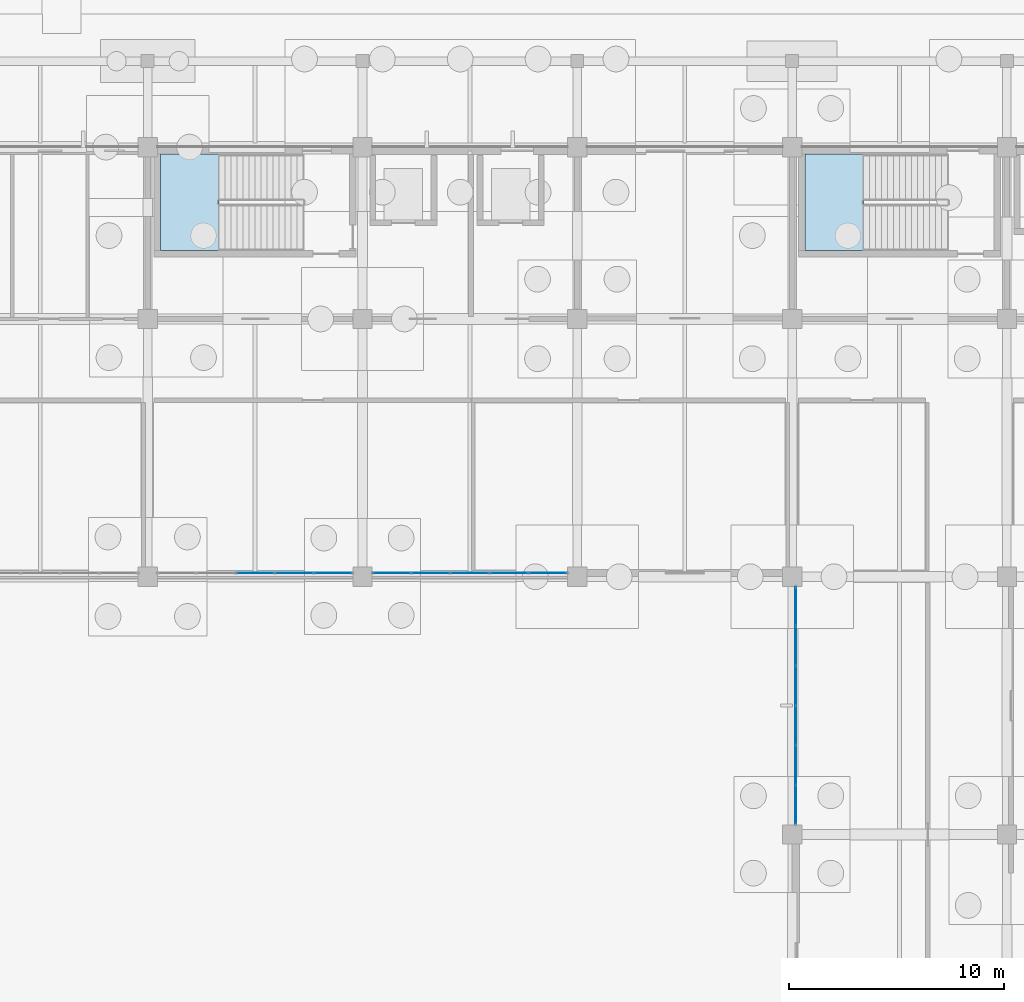
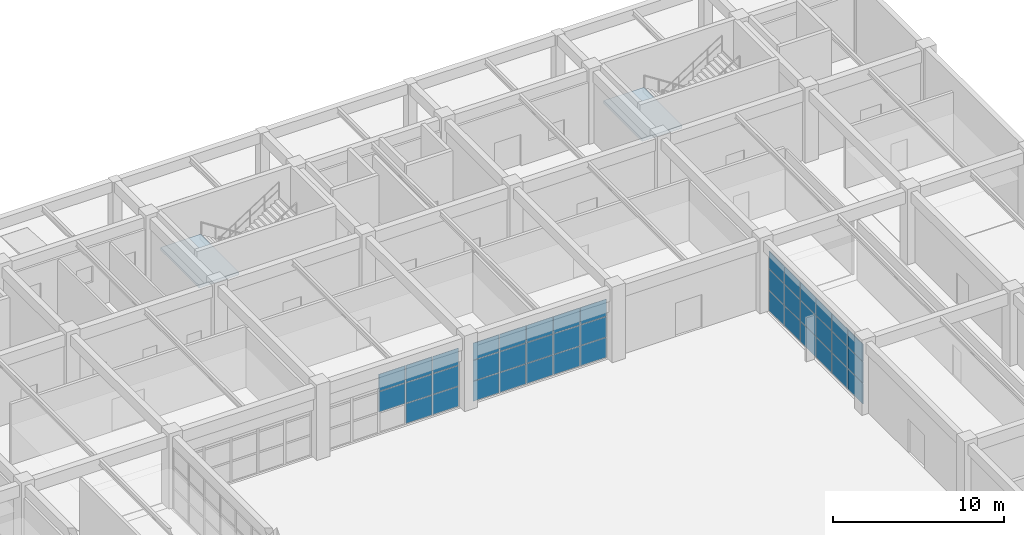
# One storey, part 73 of 99: 41 plates, 2 slabs, 5 elements without a shape of their own.
"""IFC4 building model written with IfcOpenShell, lengths in metres."""

from ifc_helpers import new_model, si_unit, direction, frame, origin, origin_2d, place, context, subcontext, project, spatial, polyline, rectangle, outline, extrude, material, layer, layer_set, type_object, element, aggregate, save


model = new_model("IFC4")

# Units and contexts
model_context = context("Model", 3, precision=1e-05, world=origin(), true_north=direction((0.0, 1.0)))
body_context = subcontext(model_context, "Body", "Model", "MODEL_VIEW")
ifc_project = project(units=[si_unit("LENGTHUNIT", "METRE"), si_unit("AREAUNIT", "SQUARE_METRE"), si_unit("VOLUMEUNIT", "CUBIC_METRE"), si_unit("PLANEANGLEUNIT", "RADIAN"), si_unit("MASSUNIT", "GRAM", prefix="KILO")], contexts=[model_context])

# Site, building, storey
site_placement = place(None, origin())
site = spatial("IfcSite", under=ifc_project, at=site_placement, CompositionType="ELEMENT")
building_placement = place(site_placement, origin())
building = spatial("IfcBuilding", under=site, at=building_placement, Name="Kivolera Central Railway Station", CompositionType="ELEMENT")
storey_placement = place(building_placement, origin())
storey = spatial("IfcBuildingStorey", under=building, at=storey_placement, Name="L00", CompositionType="ELEMENT", Elevation=0.0)

# Curtain wall, plates
ifc_material_1 = material(Name="Anodised aluminium", Category="aluminium")
ifc_layer_1 = layer(ifc_material_1, 0.179931640625, Name="Anodised aluminium")
ifc_layer_set_1 = layer_set([ifc_layer_1], Name="Anodised aluminium")
curtain_wall_type_1 = type_object("IfcCurtainWallType", Name="CW-SYS-22", PredefinedType="NOTDEFINED", material=ifc_layer_set_1)
curtain_wall_1_placement = place(storey_placement, origin())
curtain_wall_1 = element("IfcCurtainWall", 1, at=curtain_wall_1_placement, inside=storey, type_object=curtain_wall_type_1, Name="L00 Curtain Wall CW-L00-CRTE-J", PredefinedType="NOTDEFINED")
ifc_material_2 = material(Name="Double low-E laminated glass", Category="glass")
ifc_layer_2 = layer(ifc_material_2, 0.030029296875, Name="Double low-E laminated glass")
ifc_layer_set_2 = layer_set([ifc_layer_2], Name="Double low-E laminated glass")
plate_type_1 = type_object("IfcPlateType", Name="CWP-GLZ-2", PredefinedType="CURTAIN_PANEL", material=ifc_layer_set_2)
plate_1_placement = place(storey_placement, frame((178.169921875, 103.3857421875, 0.0478515625), z_axis=(0.0, 0.0, 1.0), x_axis=(0.0, 1.0, 0.0)))
plate_1 = element("IfcPlate", 2, at=plate_1_placement, type_object=plate_type_1, Name="CW-22 panel 1.1", PredefinedType="CURTAIN_PANEL", context=body_context, shape_type="SweptSolid", body=[
    extrude(rectangle(XDim=1.78564453125, YDim=0.030029296875, at=origin_2d()), origin(), (0.0, 0.0, 1.0), 1.459228515625),
])
plate_2_placement = place(storey_placement, frame((178.169921875, 103.3857421875, 1.543212890625), z_axis=(0.0, 0.0, 1.0), x_axis=(0.0, 1.0, 0.0)))
plate_2 = element("IfcPlate", 3, at=plate_2_placement, type_object=plate_type_1, Name="CW-22 panel 1.2", PredefinedType="CURTAIN_PANEL", context=body_context, shape_type="SweptSolid", body=[
    extrude(rectangle(XDim=1.78564453125, YDim=0.030029296875, at=origin_2d()), origin(), (0.0, 0.0, 1.0), 1.4892578125),
])
plate_3_placement = place(storey_placement, frame((178.169921875, 103.3857421875, 3.068359375), z_axis=(0.0, 0.0, 1.0), x_axis=(0.0, 1.0, 0.0)))
plate_3 = element("IfcPlate", 4, at=plate_3_placement, type_object=plate_type_1, Name="CW-22 panel 1.3", PredefinedType="CURTAIN_PANEL", context=body_context, shape_type="SweptSolid", body=[
    extrude(rectangle(XDim=1.78564453125, YDim=0.030029296875, at=origin_2d()), origin(), (0.0, 0.0, 1.0), 1.241455078125),
])
plate_4_placement = place(storey_placement, frame((178.169921875, 105.222412109375, 0.0478515625), z_axis=(0.0, 0.0, 1.0), x_axis=(0.0, 1.0, 0.0)))
plate_4 = element("IfcPlate", 5, at=plate_4_placement, type_object=plate_type_1, Name="CW-22 panel 2.1", PredefinedType="CURTAIN_PANEL", context=body_context, shape_type="SweptSolid", body=[
    extrude(rectangle(XDim=1.815673828125, YDim=0.030029296875, at=origin_2d()), origin(), (0.0, 0.0, 1.0), 1.459228515625),
])
plate_5_placement = place(storey_placement, frame((178.169921875, 105.222412109375, 1.543212890625), z_axis=(0.0, 0.0, 1.0), x_axis=(0.0, 1.0, 0.0)))
plate_5 = element("IfcPlate", 6, at=plate_5_placement, type_object=plate_type_1, Name="CW-22 panel 2.2", PredefinedType="CURTAIN_PANEL", context=body_context, shape_type="SweptSolid", body=[
    extrude(rectangle(XDim=1.815673828125, YDim=0.030029296875, at=origin_2d()), origin(), (0.0, 0.0, 1.0), 1.4892578125),
])
plate_6_placement = place(storey_placement, frame((178.169921875, 105.222412109375, 3.068359375), z_axis=(0.0, 0.0, 1.0), x_axis=(0.0, 1.0, 0.0)))
plate_6 = element("IfcPlate", 7, at=plate_6_placement, type_object=plate_type_1, Name="CW-22 panel 2.3", PredefinedType="CURTAIN_PANEL", context=body_context, shape_type="SweptSolid", body=[
    extrude(rectangle(XDim=1.815673828125, YDim=0.030029296875, at=origin_2d()), origin(), (0.0, 0.0, 1.0), 1.241455078125),
])
plate_7_placement = place(storey_placement, frame((178.169921875, 107.07421875, 0.0478515625), z_axis=(0.0, 0.0, 1.0), x_axis=(0.0, 1.0, 0.0)))
plate_7 = element("IfcPlate", 8, at=plate_7_placement, type_object=plate_type_1, Name="CW-22 panel 3.1", PredefinedType="CURTAIN_PANEL", context=body_context, shape_type="SweptSolid", body=[
    extrude(rectangle(XDim=1.815673828125, YDim=0.030029296875, at=origin_2d()), origin(), (0.0, 0.0, 1.0), 1.459228515625),
])
plate_8_placement = place(storey_placement, frame((178.169921875, 107.07421875, 1.543212890625), z_axis=(0.0, 0.0, 1.0), x_axis=(0.0, 1.0, 0.0)))
plate_8 = element("IfcPlate", 9, at=plate_8_placement, type_object=plate_type_1, Name="CW-22 panel 3.2", PredefinedType="CURTAIN_PANEL", context=body_context, shape_type="SweptSolid", body=[
    extrude(rectangle(XDim=1.815673828125, YDim=0.030029296875, at=origin_2d()), origin(), (0.0, 0.0, 1.0), 1.4892578125),
])
plate_9_placement = place(storey_placement, frame((178.169921875, 107.07421875, 3.068359375), z_axis=(0.0, 0.0, 1.0), x_axis=(0.0, 1.0, 0.0)))
plate_9 = element("IfcPlate", 10, at=plate_9_placement, type_object=plate_type_1, Name="CW-22 panel 3.3", PredefinedType="CURTAIN_PANEL", context=body_context, shape_type="SweptSolid", body=[
    extrude(rectangle(XDim=1.815673828125, YDim=0.030029296875, at=origin_2d()), origin(), (0.0, 0.0, 1.0), 1.241455078125),
])
plate_10_placement = place(storey_placement, frame((178.169921875, 108.92578125, 0.0478515625), z_axis=(0.0, 0.0, 1.0), x_axis=(0.0, 1.0, 0.0)))
plate_10 = element("IfcPlate", 11, at=plate_10_placement, type_object=plate_type_1, Name="CW-22 panel 4.1", PredefinedType="CURTAIN_PANEL", context=body_context, shape_type="SweptSolid", body=[
    extrude(rectangle(XDim=1.815673828125, YDim=0.030029296875, at=origin_2d()), origin(), (0.0, 0.0, 1.0), 1.459228515625),
])
plate_11_placement = place(storey_placement, frame((178.169921875, 108.92578125, 1.543212890625), z_axis=(0.0, 0.0, 1.0), x_axis=(0.0, 1.0, 0.0)))
plate_11 = element("IfcPlate", 12, at=plate_11_placement, type_object=plate_type_1, Name="CW-22 panel 4.2", PredefinedType="CURTAIN_PANEL", context=body_context, shape_type="SweptSolid", body=[
    extrude(rectangle(XDim=1.815673828125, YDim=0.030029296875, at=origin_2d()), origin(), (0.0, 0.0, 1.0), 1.4892578125),
])
plate_12_placement = place(storey_placement, frame((178.169921875, 108.92578125, 3.068359375), z_axis=(0.0, 0.0, 1.0), x_axis=(0.0, 1.0, 0.0)))
plate_12 = element("IfcPlate", 13, at=plate_12_placement, type_object=plate_type_1, Name="CW-22 panel 4.3", PredefinedType="CURTAIN_PANEL", context=body_context, shape_type="SweptSolid", body=[
    extrude(rectangle(XDim=1.815673828125, YDim=0.030029296875, at=origin_2d()), origin(), (0.0, 0.0, 1.0), 1.241455078125),
])
plate_13_placement = place(storey_placement, frame((178.169921875, 110.777587890625, 0.0478515625), z_axis=(0.0, 0.0, 1.0), x_axis=(0.0, 1.0, 0.0)))
plate_13 = element("IfcPlate", 14, at=plate_13_placement, type_object=plate_type_1, Name="CW-22 panel 5.1", PredefinedType="CURTAIN_PANEL", context=body_context, shape_type="SweptSolid", body=[
    extrude(rectangle(XDim=1.815673828125, YDim=0.030029296875, at=origin_2d()), origin(), (0.0, 0.0, 1.0), 1.459228515625),
])
plate_14_placement = place(storey_placement, frame((178.169921875, 110.777587890625, 1.543212890625), z_axis=(0.0, 0.0, 1.0), x_axis=(0.0, 1.0, 0.0)))
plate_14 = element("IfcPlate", 15, at=plate_14_placement, type_object=plate_type_1, Name="CW-22 panel 5.2", PredefinedType="CURTAIN_PANEL", context=body_context, shape_type="SweptSolid", body=[
    extrude(rectangle(XDim=1.815673828125, YDim=0.030029296875, at=origin_2d()), origin(), (0.0, 0.0, 1.0), 1.4892578125),
])
plate_15_placement = place(storey_placement, frame((178.169921875, 110.777587890625, 3.068359375), z_axis=(0.0, 0.0, 1.0), x_axis=(0.0, 1.0, 0.0)))
plate_15 = element("IfcPlate", 16, at=plate_15_placement, type_object=plate_type_1, Name="CW-22 panel 5.3", PredefinedType="CURTAIN_PANEL", context=body_context, shape_type="SweptSolid", body=[
    extrude(rectangle(XDim=1.815673828125, YDim=0.030029296875, at=origin_2d()), origin(), (0.0, 0.0, 1.0), 1.241455078125),
])
plate_16_placement = place(storey_placement, frame((178.169921875, 112.6142578125, 0.0478515625), z_axis=(0.0, 0.0, 1.0), x_axis=(0.0, 1.0, 0.0)))
plate_16 = element("IfcPlate", 17, at=plate_16_placement, type_object=plate_type_1, Name="CW-22 panel 6.1", PredefinedType="CURTAIN_PANEL", context=body_context, shape_type="SweptSolid", body=[
    extrude(rectangle(XDim=1.78564453125, YDim=0.030029296875, at=origin_2d()), origin(), (0.0, 0.0, 1.0), 1.459228515625),
])
plate_17_placement = place(storey_placement, frame((178.169921875, 112.6142578125, 1.543212890625), z_axis=(0.0, 0.0, 1.0), x_axis=(0.0, 1.0, 0.0)))
plate_17 = element("IfcPlate", 18, at=plate_17_placement, type_object=plate_type_1, Name="CW-22 panel 6.2", PredefinedType="CURTAIN_PANEL", context=body_context, shape_type="SweptSolid", body=[
    extrude(rectangle(XDim=1.78564453125, YDim=0.030029296875, at=origin_2d()), origin(), (0.0, 0.0, 1.0), 1.4892578125),
])
plate_18_placement = place(storey_placement, frame((178.169921875, 112.6142578125, 3.068359375), z_axis=(0.0, 0.0, 1.0), x_axis=(0.0, 1.0, 0.0)))
plate_18 = element("IfcPlate", 19, at=plate_18_placement, type_object=plate_type_1, Name="CW-22 panel 6.3", PredefinedType="CURTAIN_PANEL", context=body_context, shape_type="SweptSolid", body=[
    extrude(rectangle(XDim=1.78564453125, YDim=0.030029296875, at=origin_2d()), origin(), (0.0, 0.0, 1.0), 1.241455078125),
])
aggregate(curtain_wall_1, [plate_1, plate_2, plate_3, plate_4, plate_5, plate_6, plate_7, plate_8, plate_9, plate_10, plate_11, plate_12, plate_13, plate_14, plate_15, plate_16, plate_17, plate_18])

ifc_layer_3 = layer(ifc_material_1, 0.179931640625, Name="Anodised aluminium")
ifc_layer_set_3 = layer_set([ifc_layer_3], Name="Anodised aluminium")
curtain_wall_type_2 = type_object("IfcCurtainWallType", Name="CW-SYS-21", PredefinedType="NOTDEFINED", material=ifc_layer_set_3)
curtain_wall_2_placement = place(storey_placement, origin())
curtain_wall_2 = element("IfcCurtainWall", 20, at=curtain_wall_2_placement, inside=storey, type_object=curtain_wall_type_2, Name="L00 Curtain Wall CW-L00-CRTN-148", PredefinedType="NOTDEFINED")
ifc_layer_4 = layer(ifc_material_2, 0.033935546875, Name="Double low-E laminated glass")
ifc_layer_set_4 = layer_set([ifc_layer_4], Name="Double low-E laminated glass")
plate_type_2 = type_object("IfcPlateType", Name="CWP-GLZ-3", PredefinedType="CURTAIN_PANEL", material=ifc_layer_set_4)
plate_19_placement = place(storey_placement, frame((156.62890625, 114.169921875, 0.048095703125), z_axis=(0.0, 0.0, 1.0), x_axis=(-1.0, 0.0, 0.0)))
plate_19 = element("IfcPlate", 21, at=plate_19_placement, type_object=plate_type_2, Name="CW-21 panel 1.1", PredefinedType="CURTAIN_PANEL", context=body_context, shape_type="SweptSolid", body=[
    extrude(rectangle(XDim=1.756103515625, YDim=0.033935546875, at=origin_2d()), origin(), (0.0, 0.0, 1.0), 1.42431640625),
])
plate_20_placement = place(storey_placement, frame((156.62890625, 114.169921875, 1.50830078125), z_axis=(0.0, 0.0, 1.0), x_axis=(-1.0, 0.0, 0.0)))
plate_20 = element("IfcPlate", 22, at=plate_20_placement, type_object=plate_type_2, Name="CW-21 panel 1.2", PredefinedType="CURTAIN_PANEL", context=body_context, shape_type="SweptSolid", body=[
    extrude(rectangle(XDim=1.756103515625, YDim=0.033935546875, at=origin_2d()), origin(), (0.0, 0.0, 1.0), 1.454345703125),
])
plate_21_placement = place(storey_placement, frame((156.62890625, 114.169921875, 2.99853515625), z_axis=(0.0, 0.0, 1.0), x_axis=(-1.0, 0.0, 0.0)))
plate_21 = element("IfcPlate", 23, at=plate_21_placement, type_object=plate_type_2, Name="CW-21 panel 1.3", PredefinedType="CURTAIN_PANEL", context=body_context, shape_type="SweptSolid", body=[
    extrude(rectangle(XDim=1.756103515625, YDim=0.033935546875, at=origin_2d()), origin(), (0.0, 0.0, 1.0), 1.21142578125),
])
plate_22_placement = place(storey_placement, frame((154.822021484375, 114.169921875, 0.048095703125), z_axis=(0.0, 0.0, 1.0), x_axis=(-1.0, 0.0, 0.0)))
plate_22 = element("IfcPlate", 24, at=plate_22_placement, type_object=plate_type_2, Name="CW-21 panel 2.1", PredefinedType="CURTAIN_PANEL", context=body_context, shape_type="SweptSolid", body=[
    extrude(rectangle(XDim=1.785888671875, YDim=0.033935546875, at=origin_2d()), origin(), (0.0, 0.0, 1.0), 1.42431640625),
])
plate_23_placement = place(storey_placement, frame((154.822021484375, 114.169921875, 1.50830078125), z_axis=(0.0, 0.0, 1.0), x_axis=(-1.0, 0.0, 0.0)))
plate_23 = element("IfcPlate", 25, at=plate_23_placement, type_object=plate_type_2, Name="CW-21 panel 2.2", PredefinedType="CURTAIN_PANEL", context=body_context, shape_type="SweptSolid", body=[
    extrude(rectangle(XDim=1.785888671875, YDim=0.033935546875, at=origin_2d()), origin(), (0.0, 0.0, 1.0), 1.454345703125),
])
plate_24_placement = place(storey_placement, frame((154.822021484375, 114.169921875, 2.99853515625), z_axis=(0.0, 0.0, 1.0), x_axis=(-1.0, 0.0, 0.0)))
plate_24 = element("IfcPlate", 26, at=plate_24_placement, type_object=plate_type_2, Name="CW-21 panel 2.3", PredefinedType="CURTAIN_PANEL", context=body_context, shape_type="SweptSolid", body=[
    extrude(rectangle(XDim=1.785888671875, YDim=0.033935546875, at=origin_2d()), origin(), (0.0, 0.0, 1.0), 1.21142578125),
])
plate_25_placement = place(storey_placement, frame((153.0, 114.169921875, 1.50830078125), z_axis=(0.0, 0.0, 1.0), x_axis=(-1.0, 0.0, 0.0)))
plate_25 = element("IfcPlate", 27, at=plate_25_placement, type_object=plate_type_2, Name="CW-21 panel 3.2", PredefinedType="CURTAIN_PANEL", context=body_context, shape_type="SweptSolid", body=[
    extrude(rectangle(XDim=1.785888671875, YDim=0.033935546875, at=origin_2d()), origin(), (0.0, 0.0, 1.0), 1.454345703125),
])
plate_26_placement = place(storey_placement, frame((153.0, 114.169921875, 2.99853515625), z_axis=(0.0, 0.0, 1.0), x_axis=(-1.0, 0.0, 0.0)))
plate_26 = element("IfcPlate", 28, at=plate_26_placement, type_object=plate_type_2, Name="CW-21 panel 3.3", PredefinedType="CURTAIN_PANEL", context=body_context, shape_type="SweptSolid", body=[
    extrude(rectangle(XDim=1.785888671875, YDim=0.033935546875, at=origin_2d()), origin(), (0.0, 0.0, 1.0), 1.21142578125),
])
aggregate(curtain_wall_2, [plate_19, plate_20, plate_21, plate_22, plate_23, plate_24, plate_25, plate_26])

curtain_wall_3_placement = place(storey_placement, origin())
curtain_wall_3 = element("IfcCurtainWall", 29, at=curtain_wall_3_placement, inside=storey, type_object=curtain_wall_type_2, Name="L00 Curtain Wall CW-L00-CRTN-158", PredefinedType="NOTDEFINED")
ifc_layer_5 = layer(ifc_material_2, 0.0380859375, Name="Double low-E laminated glass")
ifc_layer_set_5 = layer_set([ifc_layer_5], Name="Double low-E laminated glass")
plate_type_3 = type_object("IfcPlateType", Name="CWP-GLZ-4", PredefinedType="CURTAIN_PANEL", material=ifc_layer_set_5)
plate_27_placement = place(storey_placement, frame((166.62890625, 114.169921875, 0.048095703125), z_axis=(0.0, 0.0, 1.0), x_axis=(-1.0, 0.0, 0.0)))
plate_27 = element("IfcPlate", 30, at=plate_27_placement, type_object=plate_type_3, Name="CW-21 panel 1.1", PredefinedType="CURTAIN_PANEL", context=body_context, shape_type="SweptSolid", body=[
    extrude(rectangle(XDim=1.756103515625, YDim=0.0380859375, at=origin_2d()), origin(), (0.0, 0.0, 1.0), 1.42431640625),
])
plate_28_placement = place(storey_placement, frame((166.62890625, 114.169921875, 1.50830078125), z_axis=(0.0, 0.0, 1.0), x_axis=(-1.0, 0.0, 0.0)))
plate_28 = element("IfcPlate", 31, at=plate_28_placement, type_object=plate_type_3, Name="CW-21 panel 1.2", PredefinedType="CURTAIN_PANEL", context=body_context, shape_type="SweptSolid", body=[
    extrude(rectangle(XDim=1.756103515625, YDim=0.0380859375, at=origin_2d()), origin(), (0.0, 0.0, 1.0), 1.454345703125),
])
plate_29_placement = place(storey_placement, frame((166.62890625, 114.169921875, 2.99853515625), z_axis=(0.0, 0.0, 1.0), x_axis=(-1.0, 0.0, 0.0)))
plate_29 = element("IfcPlate", 32, at=plate_29_placement, type_object=plate_type_3, Name="CW-21 panel 1.3", PredefinedType="CURTAIN_PANEL", context=body_context, shape_type="SweptSolid", body=[
    extrude(rectangle(XDim=1.756103515625, YDim=0.0380859375, at=origin_2d()), origin(), (0.0, 0.0, 1.0), 1.21142578125),
])
plate_30_placement = place(storey_placement, frame((164.822021484375, 114.169921875, 0.048095703125), z_axis=(0.0, 0.0, 1.0), x_axis=(-1.0, 0.0, 0.0)))
plate_30 = element("IfcPlate", 33, at=plate_30_placement, type_object=plate_type_3, Name="CW-21 panel 2.1", PredefinedType="CURTAIN_PANEL", context=body_context, shape_type="SweptSolid", body=[
    extrude(rectangle(XDim=1.785888671875, YDim=0.0380859375, at=origin_2d()), origin(), (0.0, 0.0, 1.0), 1.42431640625),
])
plate_31_placement = place(storey_placement, frame((164.822021484375, 114.169921875, 1.50830078125), z_axis=(0.0, 0.0, 1.0), x_axis=(-1.0, 0.0, 0.0)))
plate_31 = element("IfcPlate", 34, at=plate_31_placement, type_object=plate_type_3, Name="CW-21 panel 2.2", PredefinedType="CURTAIN_PANEL", context=body_context, shape_type="SweptSolid", body=[
    extrude(rectangle(XDim=1.785888671875, YDim=0.0380859375, at=origin_2d()), origin(), (0.0, 0.0, 1.0), 1.454345703125),
])
plate_32_placement = place(storey_placement, frame((164.822021484375, 114.169921875, 2.99853515625), z_axis=(0.0, 0.0, 1.0), x_axis=(-1.0, 0.0, 0.0)))
plate_32 = element("IfcPlate", 35, at=plate_32_placement, type_object=plate_type_3, Name="CW-21 panel 2.3", PredefinedType="CURTAIN_PANEL", context=body_context, shape_type="SweptSolid", body=[
    extrude(rectangle(XDim=1.785888671875, YDim=0.0380859375, at=origin_2d()), origin(), (0.0, 0.0, 1.0), 1.21142578125),
])
plate_33_placement = place(storey_placement, frame((163.0, 114.169921875, 0.048095703125), z_axis=(0.0, 0.0, 1.0), x_axis=(-1.0, 0.0, 0.0)))
plate_33 = element("IfcPlate", 36, at=plate_33_placement, type_object=plate_type_3, Name="CW-21 panel 3.1", PredefinedType="CURTAIN_PANEL", context=body_context, shape_type="SweptSolid", body=[
    extrude(rectangle(XDim=1.785888671875, YDim=0.0380859375, at=origin_2d()), origin(), (0.0, 0.0, 1.0), 1.42431640625),
])
plate_34_placement = place(storey_placement, frame((163.0, 114.169921875, 1.50830078125), z_axis=(0.0, 0.0, 1.0), x_axis=(-1.0, 0.0, 0.0)))
plate_34 = element("IfcPlate", 37, at=plate_34_placement, type_object=plate_type_3, Name="CW-21 panel 3.2", PredefinedType="CURTAIN_PANEL", context=body_context, shape_type="SweptSolid", body=[
    extrude(rectangle(XDim=1.785888671875, YDim=0.0380859375, at=origin_2d()), origin(), (0.0, 0.0, 1.0), 1.454345703125),
])
plate_35_placement = place(storey_placement, frame((163.0, 114.169921875, 2.99853515625), z_axis=(0.0, 0.0, 1.0), x_axis=(-1.0, 0.0, 0.0)))
plate_35 = element("IfcPlate", 38, at=plate_35_placement, type_object=plate_type_3, Name="CW-21 panel 3.3", PredefinedType="CURTAIN_PANEL", context=body_context, shape_type="SweptSolid", body=[
    extrude(rectangle(XDim=1.785888671875, YDim=0.0380859375, at=origin_2d()), origin(), (0.0, 0.0, 1.0), 1.21142578125),
])
plate_36_placement = place(storey_placement, frame((161.177978515625, 114.169921875, 0.048095703125), z_axis=(0.0, 0.0, 1.0), x_axis=(-1.0, 0.0, 0.0)))
plate_36 = element("IfcPlate", 39, at=plate_36_placement, type_object=plate_type_3, Name="CW-21 panel 4.1", PredefinedType="CURTAIN_PANEL", context=body_context, shape_type="SweptSolid", body=[
    extrude(rectangle(XDim=1.785888671875, YDim=0.0380859375, at=origin_2d()), origin(), (0.0, 0.0, 1.0), 1.42431640625),
])
plate_37_placement = place(storey_placement, frame((161.177978515625, 114.169921875, 1.50830078125), z_axis=(0.0, 0.0, 1.0), x_axis=(-1.0, 0.0, 0.0)))
plate_37 = element("IfcPlate", 40, at=plate_37_placement, type_object=plate_type_3, Name="CW-21 panel 4.2", PredefinedType="CURTAIN_PANEL", context=body_context, shape_type="SweptSolid", body=[
    extrude(rectangle(XDim=1.785888671875, YDim=0.0380859375, at=origin_2d()), origin(), (0.0, 0.0, 1.0), 1.454345703125),
])
plate_38_placement = place(storey_placement, frame((161.177978515625, 114.169921875, 2.99853515625), z_axis=(0.0, 0.0, 1.0), x_axis=(-1.0, 0.0, 0.0)))
plate_38 = element("IfcPlate", 41, at=plate_38_placement, type_object=plate_type_3, Name="CW-21 panel 4.3", PredefinedType="CURTAIN_PANEL", context=body_context, shape_type="SweptSolid", body=[
    extrude(rectangle(XDim=1.785888671875, YDim=0.0380859375, at=origin_2d()), origin(), (0.0, 0.0, 1.0), 1.21142578125),
])
plate_39_placement = place(storey_placement, frame((159.37109375, 114.169921875, 0.048095703125), z_axis=(0.0, 0.0, 1.0), x_axis=(-1.0, 0.0, 0.0)))
plate_39 = element("IfcPlate", 42, at=plate_39_placement, type_object=plate_type_3, Name="CW-21 panel 5.1", PredefinedType="CURTAIN_PANEL", context=body_context, shape_type="SweptSolid", body=[
    extrude(rectangle(XDim=1.756103515625, YDim=0.0380859375, at=origin_2d()), origin(), (0.0, 0.0, 1.0), 1.42431640625),
])
plate_40_placement = place(storey_placement, frame((159.37109375, 114.169921875, 1.50830078125), z_axis=(0.0, 0.0, 1.0), x_axis=(-1.0, 0.0, 0.0)))
plate_40 = element("IfcPlate", 43, at=plate_40_placement, type_object=plate_type_3, Name="CW-21 panel 5.2", PredefinedType="CURTAIN_PANEL", context=body_context, shape_type="SweptSolid", body=[
    extrude(rectangle(XDim=1.756103515625, YDim=0.0380859375, at=origin_2d()), origin(), (0.0, 0.0, 1.0), 1.454345703125),
])
plate_41_placement = place(storey_placement, frame((159.37109375, 114.169921875, 2.99853515625), z_axis=(0.0, 0.0, 1.0), x_axis=(-1.0, 0.0, 0.0)))
plate_41 = element("IfcPlate", 44, at=plate_41_placement, type_object=plate_type_3, Name="CW-21 panel 5.3", PredefinedType="CURTAIN_PANEL", context=body_context, shape_type="SweptSolid", body=[
    extrude(rectangle(XDim=1.756103515625, YDim=0.0380859375, at=origin_2d()), origin(), (0.0, 0.0, 1.0), 1.21142578125),
])
aggregate(curtain_wall_3, [plate_27, plate_28, plate_29, plate_30, plate_31, plate_32, plate_33, plate_34, plate_35, plate_36, plate_37, plate_38, plate_39, plate_40, plate_41])

# Stair, slab
ifc_material_3 = material(Name="Concrete C40/50", Category="concrete")
stair_type = type_object("IfcStairType", Name="STR-2160-30", PredefinedType="HALF_TURN_STAIR", material=ifc_material_3)
stair_1_placement = place(storey_placement, origin())
stair_1 = element("IfcStair", 45, at=stair_1_placement, inside=storey, type_object=stair_type, Name="L00 Protected Exit Stair ST2", PredefinedType="HALF_TURN_STAIR")
ifc_layer_6 = layer(ifc_material_3, 0.199951171875, Name="Concrete C40/50")
ifc_layer_set_6 = layer_set([ifc_layer_6], Name="Concrete C40/50")
slab_type = type_object("IfcSlabType", Name="SLB-LND-200", PredefinedType="LANDING", material=ifc_layer_set_6)
slab_1_placement = place(storey_placement, frame((0.0, 0.0, 2.5)))
slab_1 = element("IfcSlab", 46, at=slab_1_placement, type_object=slab_type, Name="ST2 landing 1", PredefinedType="LANDING", context=body_context, shape_type="SweptSolid", body=[
    extrude(outline(polyline([(151.320068359375, 133.679931640625), (148.60009765625, 133.679931640625), (148.60009765625, 129.179931640625), (151.320068359375, 129.179931640625), (151.320068359375, 133.679931640625)])), origin(), (0.0, 0.0, 1.0), 0.199951171875),
])
aggregate(stair_1, [slab_1])

stair_2_placement = place(storey_placement, origin())
stair_2 = element("IfcStair", 47, at=stair_2_placement, inside=storey, type_object=stair_type, Name="L00 Protected Exit Stair ST3", PredefinedType="HALF_TURN_STAIR")
slab_2_placement = place(storey_placement, frame((0.0, 0.0, 2.5)))
slab_2 = element("IfcSlab", 48, at=slab_2_placement, type_object=slab_type, Name="ST3 landing 1", PredefinedType="LANDING", context=body_context, shape_type="SweptSolid", body=[
    extrude(outline(polyline([(181.320068359375, 133.679931640625), (178.60009765625, 133.679931640625), (178.60009765625, 129.179931640625), (181.320068359375, 129.179931640625), (181.320068359375, 133.679931640625)])), origin(), (0.0, 0.0, 1.0), 0.199951171875),
])
aggregate(stair_2, [slab_2])

save(model, "model.ifc")
